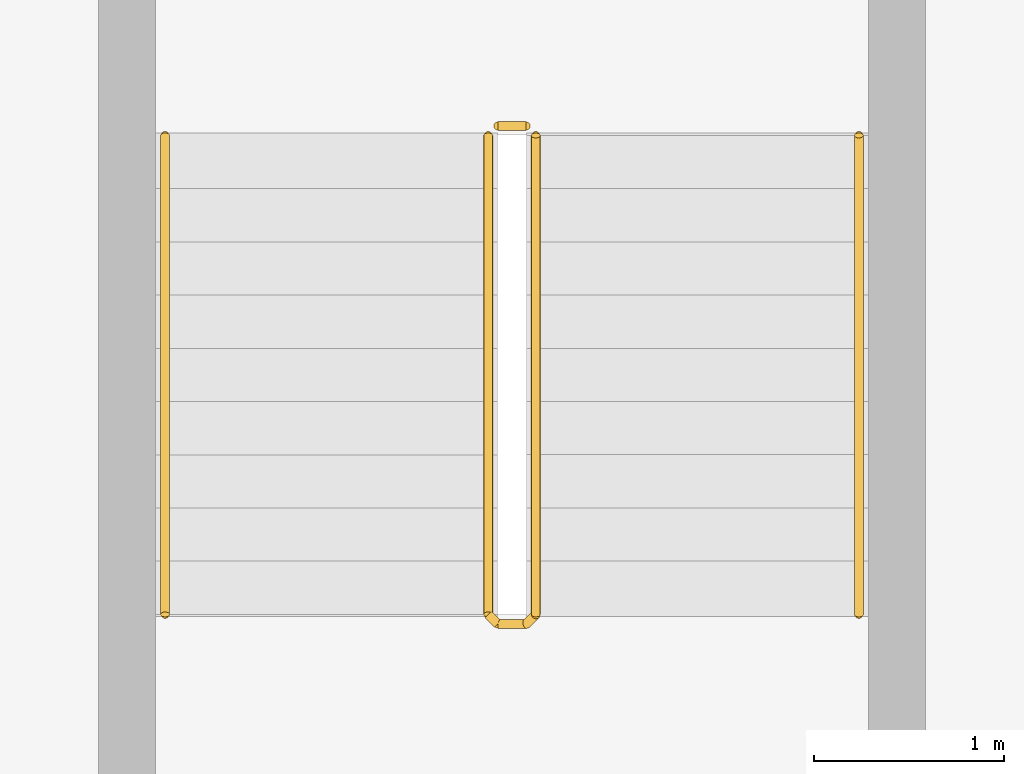
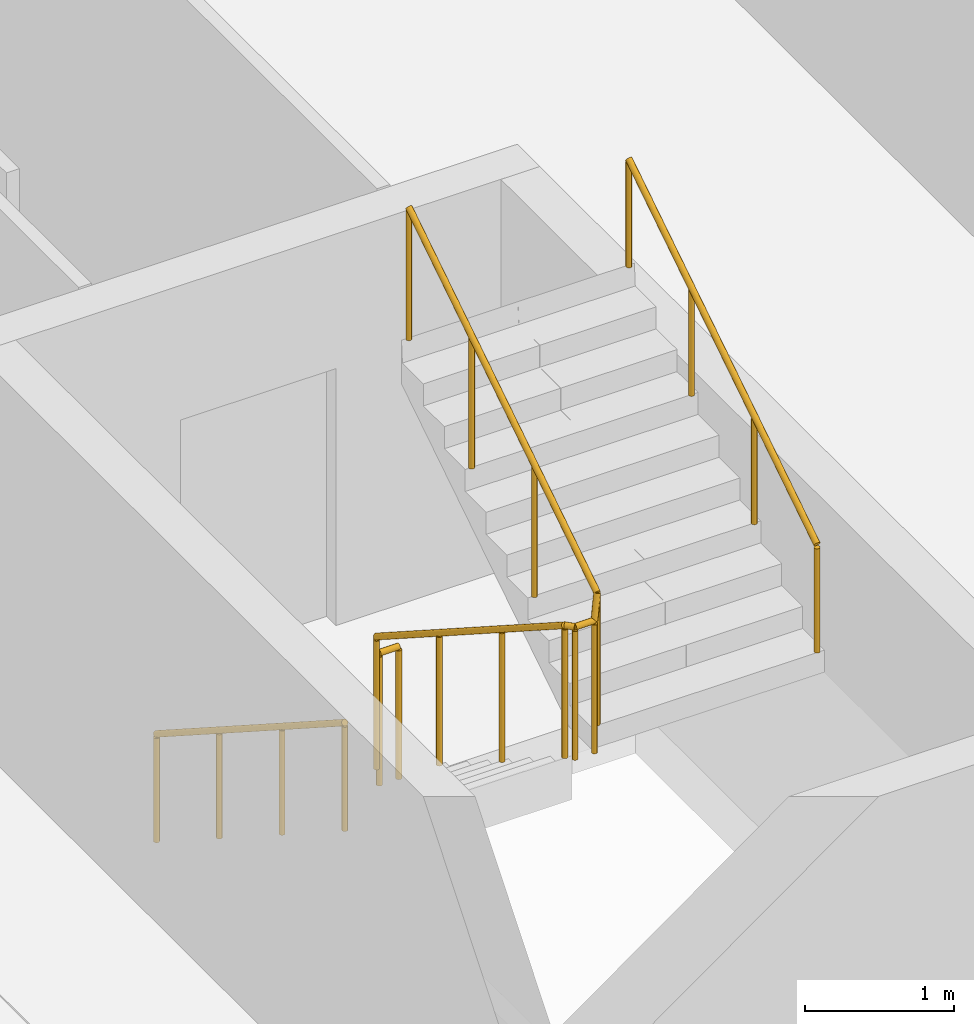
# One storey, part 23 of 25: 4 railings.
"""IFC4 building model written with IfcOpenShell, lengths in metres."""

from ifc_helpers import new_model, si_unit, direction, frame, origin, origin_2d, place, context, subcontext, project, spatial, circle, extrude, material, type_object, element, save


model = new_model("IFC4")

# Units and contexts
model_context = context("Model", 3, precision=1e-05, world=origin(), true_north=direction((0.0, 1.0)))
body_context = subcontext(model_context, "Body", "Model", "MODEL_VIEW")
ifc_project = project(units=[si_unit("LENGTHUNIT", "METRE"), si_unit("AREAUNIT", "SQUARE_METRE"), si_unit("VOLUMEUNIT", "CUBIC_METRE"), si_unit("PLANEANGLEUNIT", "RADIAN"), si_unit("MASSUNIT", "GRAM", prefix="KILO")], contexts=[model_context])

# Site, building, storey
site_placement = place(None, origin())
site = spatial("IfcSite", under=ifc_project, at=site_placement, CompositionType="ELEMENT")
building_placement = place(site_placement, origin())
building = spatial("IfcBuilding", under=site, at=building_placement, Name="Wharfspan Tower", CompositionType="ELEMENT")
storey_placement = place(building_placement, frame((0.0, 0.0, 70.300049)))
storey = spatial("IfcBuildingStorey", under=building, at=storey_placement, Name="L14", CompositionType="ELEMENT", Elevation=70.300049)

# Railings
ifc_material = material(Name="Steel S355J2", Category="steel")
railing_type_1 = type_object("IfcRailingType", Name="Stair guard 1100", PredefinedType="GUARDRAIL", material=ifc_material)
railing_1_placement = place(storey_placement, frame((39.258301, 3.760498, 0.179932)))
element("IfcRailing", 1, at=railing_1_placement, inside=storey, type_object=railing_type_1, Name="L14 ST4 stair guard 1", PredefinedType="GUARDRAIL", context=body_context, shape_type="SweptSolid", body=[
    extrude(circle(Radius=0.023926, at=origin_2d()), frame((0.0, 0.0, 1.076172), z_axis=(0.0, -0.841139, 0.540819), x_axis=(1.0, 0.0, 0.0)), (0.0, 0.0, 1.0), 2.995605),
    extrude(circle(Radius=0.023926, at=origin_2d()), frame((0.0, -2.519775, 2.696289), z_axis=(0.707107, -0.707107, 0.0), x_axis=(0.707107, 0.707107, 0.0)), (0.0, 0.0, 1.0), 0.070801),
    extrude(circle(Radius=0.023926, at=origin_2d()), frame((0.050049, -2.569824, 2.696289), z_axis=(1.0, 0.0, 0.0), x_axis=(0.0, 1.0, 0.0)), (0.0, 0.0, 1.0), 0.149902),
    extrude(circle(Radius=0.023926, at=origin_2d()), frame((0.199951, -2.569824, 2.696289), z_axis=(0.258848, 0.258848, 0.930589), x_axis=(-0.707107, 0.707107, 0.0)), (0.0, 0.0, 1.0), 0.193359),
    extrude(circle(Radius=0.023926, at=origin_2d()), frame((0.25, -2.519775, 2.875977), z_axis=(0.0, 0.841176, 0.540762), x_axis=(-1.0, 0.0, 0.0)), (0.0, 0.0, 1.0), 2.995605),
    extrude(circle(Radius=0.020996, at=origin_2d()), origin(), (0.0, 0.0, 1.0), 1.052002),
    extrude(circle(Radius=0.020996, at=origin_2d()), frame((0.0, -0.839844, 0.540039)), (0.0, 0.0, 1.0), 1.052002),
    extrude(circle(Radius=0.020996, at=origin_2d()), frame((0.0, -1.679932, 1.080078)), (0.0, 0.0, 1.0), 1.052002),
    extrude(circle(Radius=0.020996, at=origin_2d()), frame((0.0, -2.519775, 1.620117)), (0.0, 0.0, 1.0), 1.052002),
    extrude(circle(Radius=0.020996, at=origin_2d()), frame((0.050049, -2.569824, 1.620117)), (0.0, 0.0, 1.0), 1.052002),
    extrude(circle(Radius=0.020996, at=origin_2d()), frame((0.199951, -2.569824, 1.620117)), (0.0, 0.0, 1.0), 1.052002),
    extrude(circle(Radius=0.020996, at=origin_2d()), frame((0.25, -2.519775, 1.800049)), (0.0, 0.0, 1.0), 1.052002),
    extrude(circle(Radius=0.020996, at=origin_2d()), frame((0.25, -1.679932, 2.340088)), (0.0, 0.0, 1.0), 1.052002),
    extrude(circle(Radius=0.020996, at=origin_2d()), frame((0.25, -0.839844, 2.879883)), (0.0, 0.0, 1.0), 1.052002),
    extrude(circle(Radius=0.020996, at=origin_2d()), frame((0.25, 0.0, 3.419922)), (0.0, 0.0, 1.0), 1.052002),
])
railing_2_placement = place(storey_placement, frame((39.30835, 3.810547, 0.0)))
element("IfcRailing", 2, at=railing_2_placement, inside=storey, type_object=railing_type_1, Name="L14 ST4 stair guard 2", PredefinedType="GUARDRAIL", context=body_context, shape_type="SweptSolid", body=[
    extrude(circle(Radius=0.023926, at=origin_2d()), frame((0.0, 0.0, 1.076172), z_axis=(1.0, 0.0, 0.0), x_axis=(0.0, 1.0, 0.0)), (0.0, 0.0, 1.0), 0.149902),
    extrude(circle(Radius=0.020996, at=origin_2d()), origin(), (0.0, 0.0, 1.0), 1.052002),
    extrude(circle(Radius=0.020996, at=origin_2d()), frame((0.149902, 0.0, 0.0)), (0.0, 0.0, 1.0), 1.052002),
])
railing_type_2 = type_object("IfcRailingType", Name="Stair handrail 900", PredefinedType="HANDRAIL", material=ifc_material)
railing_3_placement = place(storey_placement, frame((37.55835, 3.760498, 0.179932)))
element("IfcRailing", 3, at=railing_3_placement, inside=storey, type_object=railing_type_2, Name="L14 ST4 stair handrail 1", PredefinedType="HANDRAIL", context=body_context, shape_type="SweptSolid", body=[
    extrude(circle(Radius=0.023926, at=origin_2d()), frame((0.0, 0.0, 0.875977), z_axis=(0.0, -0.841139, 0.540819), x_axis=(1.0, 0.0, 0.0)), (0.0, 0.0, 1.0), 2.995605),
    extrude(circle(Radius=0.020996, at=origin_2d()), origin(), (0.0, 0.0, 1.0), 0.851807),
    extrude(circle(Radius=0.020996, at=origin_2d()), frame((0.0, -0.839844, 0.540039)), (0.0, 0.0, 1.0), 0.851807),
    extrude(circle(Radius=0.020996, at=origin_2d()), frame((0.0, -1.679932, 1.080078)), (0.0, 0.0, 1.0), 0.851807),
    extrude(circle(Radius=0.020996, at=origin_2d()), frame((0.0, -2.519775, 1.620117)), (0.0, 0.0, 1.0), 0.851807),
])
railing_4_placement = place(storey_placement, frame((41.208252, 1.240723, 1.97998)))
element("IfcRailing", 4, at=railing_4_placement, inside=storey, type_object=railing_type_2, Name="L14 ST4 stair handrail 2", PredefinedType="HANDRAIL", context=body_context, shape_type="SweptSolid", body=[
    extrude(circle(Radius=0.023926, at=origin_2d()), frame((0.0, 0.0, 0.875977), z_axis=(0.0, 0.841176, 0.540762), x_axis=(-1.0, 0.0, 0.0)), (0.0, 0.0, 1.0), 2.995605),
    extrude(circle(Radius=0.020996, at=origin_2d()), origin(), (0.0, 0.0, 1.0), 0.851807),
    extrude(circle(Radius=0.020996, at=origin_2d()), frame((0.0, 0.839844, 0.540039)), (0.0, 0.0, 1.0), 0.851807),
    extrude(circle(Radius=0.020996, at=origin_2d()), frame((0.0, 1.679932, 1.079834)), (0.0, 0.0, 1.0), 0.851807),
    extrude(circle(Radius=0.020996, at=origin_2d()), frame((0.0, 2.519775, 1.619873)), (0.0, 0.0, 1.0), 0.851807),
])

save(model, "model.ifc")
